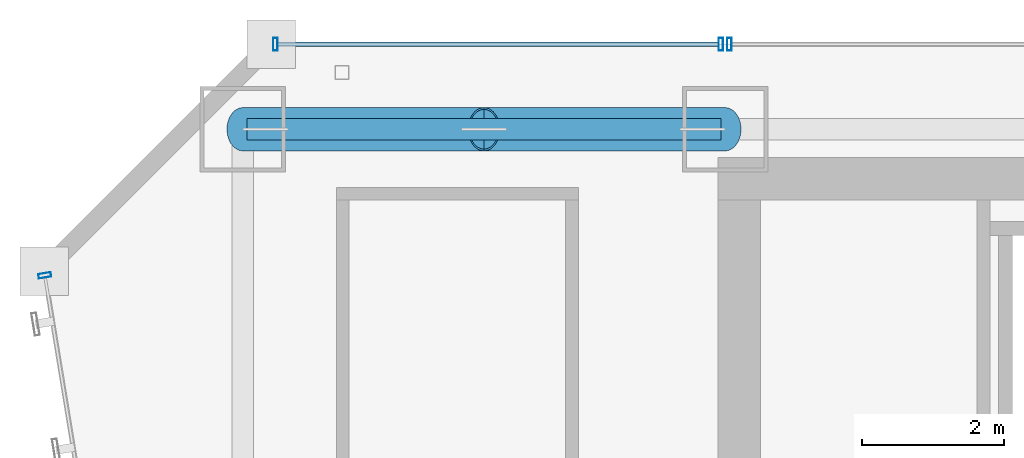
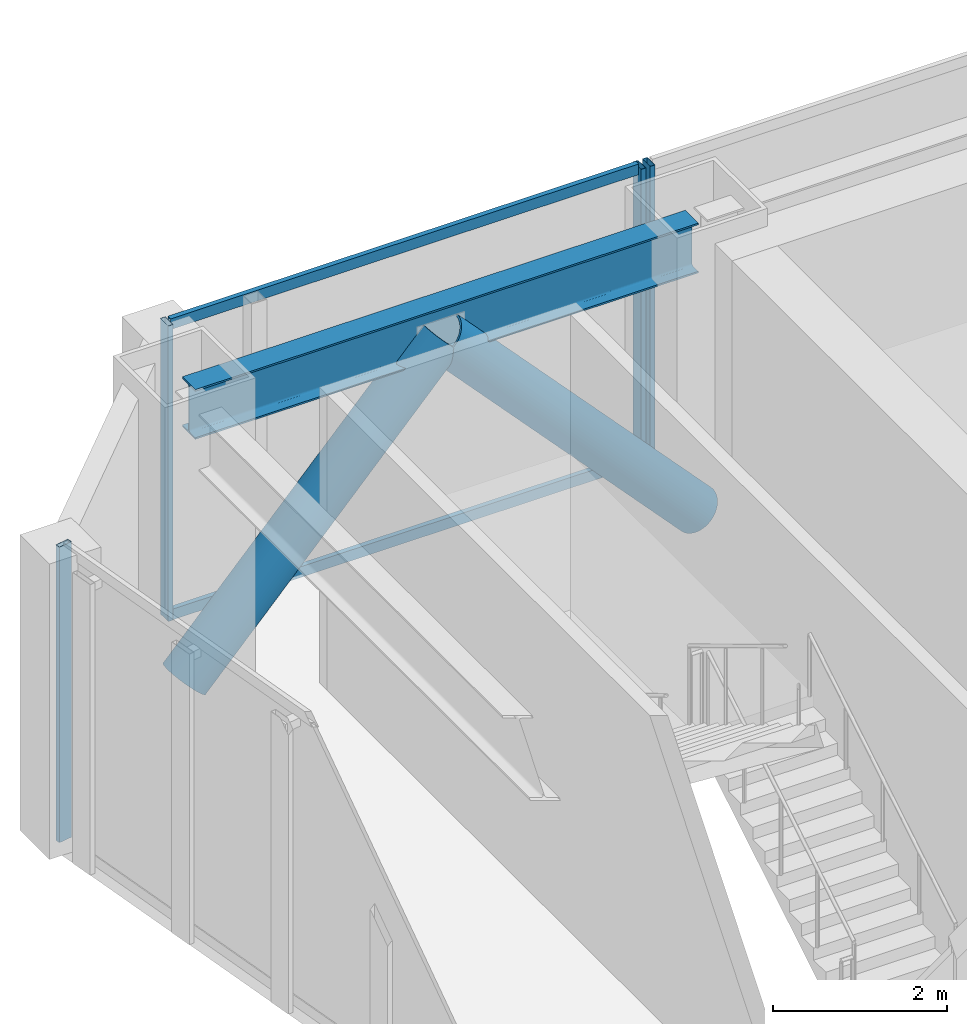
# One storey, part 26 of 47: 8 members, 1 beam, 3 elements without a shape of their own.
"""IFC4 building model written with IfcOpenShell, lengths in metres."""

from ifc_helpers import new_model, si_unit, direction, frame, origin, origin_2d, place, context, subcontext, project, spatial, hollow_rectangle, hollow_circle, i_section, extrude, material, material_profile, profile_set, type_object, element, aggregate, save


model = new_model("IFC4")

# Units and contexts
model_context = context("Model", 3, precision=1e-05, world=origin(), true_north=direction((0.0, 1.0)))
body_context = subcontext(model_context, "Body", "Model", "MODEL_VIEW")
ifc_project = project(units=[si_unit("LENGTHUNIT", "METRE"), si_unit("AREAUNIT", "SQUARE_METRE"), si_unit("VOLUMEUNIT", "CUBIC_METRE"), si_unit("PLANEANGLEUNIT", "RADIAN"), si_unit("MASSUNIT", "GRAM", prefix="KILO")], contexts=[model_context])

# Site, building, storey
site_placement = place(None, origin())
site = spatial("IfcSite", under=ifc_project, at=site_placement, CompositionType="ELEMENT")
building_placement = place(site_placement, origin())
building = spatial("IfcBuilding", under=site, at=building_placement, Name="Saevonmaru Cultural Tower", CompositionType="ELEMENT")
storey_placement = place(building_placement, frame((0.0, 0.0, 64.800048828125)))
storey = spatial("IfcBuildingStorey", under=building, at=storey_placement, Name="L13", CompositionType="ELEMENT", Elevation=64.800048828125)

# Beam
ifc_material_1 = material(Name="Steel SM355", Category="steel")
ifc_material_profile_1 = material_profile(ifc_material_1, i_section(OverallWidth=0.300048828125, OverallDepth=0.699951171875, WebThickness=0.012939453125, FlangeThickness=0.02392578125, FilletRadius=0.02587890625, at=origin_2d()), Name="H-700x300x13x24")
ifc_profile_set_1 = profile_set([ifc_material_profile_1], Name="Steel SM355")
beam_type = type_object("IfcBeamType", Name="BM-SP-H700", PredefinedType="SPANDREL", material=ifc_profile_set_1)
beam_placement = place(storey_placement, frame((6.860107421875, 54.800048828125, 3.800048828125), z_axis=(1.0, 0.0, 0.0), x_axis=(0.0, 1.0, 0.0)))
element("IfcBeam", 1, at=beam_placement, inside=storey, type_object=beam_type, Name="L13 North Spine Girder 1", PredefinedType="SPANDREL", context=body_context, shape_type="SweptSolid", body=[
    extrude(i_section(OverallWidth=0.300048828125, OverallDepth=0.699951171875, WebThickness=0.012939453125, FlangeThickness=0.02392578125, FilletRadius=0.02587890625, at=origin_2d()), origin(), (0.0, 0.0, 1.0), 6.679931640625),
])

# Members
ifc_material_2 = material(Name="Steel HSA600 (600 MPa)", Category="steel")
ifc_material_profile_2 = material_profile(ifc_material_2, hollow_circle(Radius=0.3046875, WallThickness=0.02490234375, at=origin_2d()), Name="CHS-609.6x25")
ifc_profile_set_2 = profile_set([ifc_material_profile_2], Name="Steel HSA600 (600 MPa)")
member_type_1 = type_object("IfcMemberType", Name="MB-PBR-CHS610", PredefinedType="BRACE", material=ifc_profile_set_2)
member_1_placement = place(storey_placement, frame((6.800048828125, 54.800048828125, 0.02001953125), z_axis=(0.681602937137, 0.0, 0.73172223971), x_axis=(0.0, 1.0, 0.0)))
element("IfcMember", 2, at=member_1_placement, inside=storey, type_object=member_type_1, Name="L13 Perimeter Braced-Tube Diagonal WN1", PredefinedType="BRACE", context=body_context, shape_type="SweptSolid", body=[
    extrude(hollow_circle(Radius=0.3046875, WallThickness=0.02490234375, at=origin_2d()), origin(), (0.0, 0.0, 1.0), 4.988037109375),
])
member_2_placement = place(storey_placement, frame((13.60009765625, 54.800048828125, 0.02001953125), z_axis=(-0.681629141635, 0.0, 0.731697829212), x_axis=(0.0, -1.0, 0.0)))
element("IfcMember", 3, at=member_2_placement, inside=storey, type_object=member_type_1, Name="L13 Perimeter Braced-Tube Diagonal WN2", PredefinedType="BRACE", context=body_context, shape_type="SweptSolid", body=[
    extrude(hollow_circle(Radius=0.3046875, WallThickness=0.02490234375, at=origin_2d()), origin(), (0.0, 0.0, 1.0), 4.98828125),
])

# Curtain wall, member
ifc_material_3 = material(Name="Satin Bronze Anodised Aluminium", Category="aluminium")
curtain_wall_type = type_object("IfcCurtainWallType", Name="CW-TYP-A", PredefinedType="NOTDEFINED", material=ifc_material_3)
curtain_wall_1_placement = place(storey_placement, origin())
curtain_wall_1 = element("IfcCurtainWall", 4, at=curtain_wall_1_placement, inside=storey, type_object=curtain_wall_type, Name="L13 North Spine Unitised Curtain Wall E10B", PredefinedType="NOTDEFINED")
ifc_material_profile_3 = material_profile(ifc_material_3, hollow_rectangle(XDim=0.06494140625, YDim=0.179931640625, WallThickness=0.00390625, at=origin_2d()), Name="ALU-MULL-180x65x4")
ifc_profile_set_3 = profile_set([ifc_material_profile_3], Name="Satin Bronze Anodised Aluminium")
member_type_2 = type_object("IfcMemberType", Name="ML-CW-180x65", PredefinedType="MULLION", material=ifc_profile_set_3)
member_3_placement = place(storey_placement, frame((13.659912109375, 56.0, 0.0), z_axis=(0.0, 0.0, 1.0), x_axis=(-1.0, 0.0, 0.0)))
member_3 = element("IfcMember", 5, at=member_3_placement, type_object=member_type_2, Name="CW-TW-L13-E10B mullion 4", PredefinedType="MULLION", context=body_context, shape_type="SweptSolid", body=[
    extrude(hollow_rectangle(XDim=0.06494140625, YDim=0.179931640625, WallThickness=0.00390625, at=origin_2d()), origin(), (0.0, 0.0, 1.0), 4.14990234375),
])
aggregate(curtain_wall_1, [member_3])

# Curtain wall, members
curtain_wall_2_placement = place(storey_placement, origin())
curtain_wall_2 = element("IfcCurtainWall", 6, at=curtain_wall_2_placement, inside=storey, type_object=curtain_wall_type, Name="L13 West Braced Bay Spandrel Curtain Wall E10C", PredefinedType="NOTDEFINED")
member_4_placement = place(storey_placement, frame((13.5400390625, 56.0, 0.0), z_axis=(0.0, 0.0, 1.0), x_axis=(-1.0, 0.0, 0.0)))
member_4 = element("IfcMember", 7, at=member_4_placement, type_object=member_type_2, Name="CW-TW-L13-E10C mullion 1", PredefinedType="MULLION", context=body_context, shape_type="SweptSolid", body=[
    extrude(hollow_rectangle(XDim=0.06494140625, YDim=0.179931640625, WallThickness=0.00390625, at=origin_2d()), origin(), (0.0, 0.0, 1.0), 4.14990234375),
])
member_5_placement = place(storey_placement, frame((7.260009765625, 56.0, 0.0), z_axis=(0.0, 0.0, 1.0), x_axis=(-1.0, 0.0, 0.0)))
member_5 = element("IfcMember", 8, at=member_5_placement, type_object=member_type_2, Name="CW-TW-L13-E10C mullion 2", PredefinedType="MULLION", context=body_context, shape_type="SweptSolid", body=[
    extrude(hollow_rectangle(XDim=0.06494140625, YDim=0.179931640625, WallThickness=0.00390625, at=origin_2d()), origin(), (0.0, 0.0, 1.0), 4.14990234375),
])

# Curtain wall, member
curtain_wall_3_placement = place(storey_placement, origin())
curtain_wall_3 = element("IfcCurtainWall", 9, at=curtain_wall_3_placement, inside=storey, type_object=curtain_wall_type, Name="L13 Unitised Curtain Wall E12", PredefinedType="NOTDEFINED")
member_6_placement = place(storey_placement, frame((4.009765625, 52.74072265625, 0.0), z_axis=(0.0, 0.0, 1.0), x_axis=(0.161708868641, -0.986838508472, 0.0)))
member_6 = element("IfcMember", 10, at=member_6_placement, type_object=member_type_2, Name="CW-TW-L13-E12 mullion 1", PredefinedType="MULLION", context=body_context, shape_type="SweptSolid", body=[
    extrude(hollow_rectangle(XDim=0.06494140625, YDim=0.179931640625, WallThickness=0.00390625, at=origin_2d()), origin(), (0.0, 0.0, 1.0), 4.14990234375),
])
aggregate(curtain_wall_3, [member_6])

# Member
ifc_material_profile_4 = material_profile(ifc_material_3, hollow_rectangle(XDim=0.06494140625, YDim=0.14990234375, WallThickness=0.00390625, at=origin_2d()), Name="ALU-TRAN-150x65x4")
ifc_profile_set_4 = profile_set([ifc_material_profile_4], Name="Satin Bronze Anodised Aluminium")
member_type_3 = type_object("IfcMemberType", Name="TR-CW-150x65", PredefinedType="USERDEFINED", material=ifc_profile_set_4)
member_7_placement = place(storey_placement, frame((13.507568359375, 56.0, 0.032470703125), z_axis=(-1.0, 0.0, 0.0), x_axis=(0.0, -1.0, 0.0)))
member_7 = element("IfcMember", 11, at=member_7_placement, type_object=member_type_3, Name="CW-TW-L13-E10C transom 1.1", ObjectType="TRANSOM", PredefinedType="USERDEFINED", context=body_context, shape_type="SweptSolid", body=[
    extrude(hollow_rectangle(XDim=0.06494140625, YDim=0.14990234375, WallThickness=0.00390625, at=origin_2d()), origin(), (0.0, 0.0, 1.0), 6.215087890625),
])

member_8_placement = place(storey_placement, frame((13.507568359375, 56.0, 4.117431640625), z_axis=(-1.0, 0.0, 0.0), x_axis=(0.0, -1.0, 0.0)))
member_8 = element("IfcMember", 12, at=member_8_placement, type_object=member_type_3, Name="CW-TW-L13-E10C transom 1.2", ObjectType="TRANSOM", PredefinedType="USERDEFINED", context=body_context, shape_type="SweptSolid", body=[
    extrude(hollow_rectangle(XDim=0.06494140625, YDim=0.14990234375, WallThickness=0.00390625, at=origin_2d()), origin(), (0.0, 0.0, 1.0), 6.215087890625),
])

aggregate(curtain_wall_2, [member_4, member_5, member_7, member_8])

save(model, "model.ifc")
